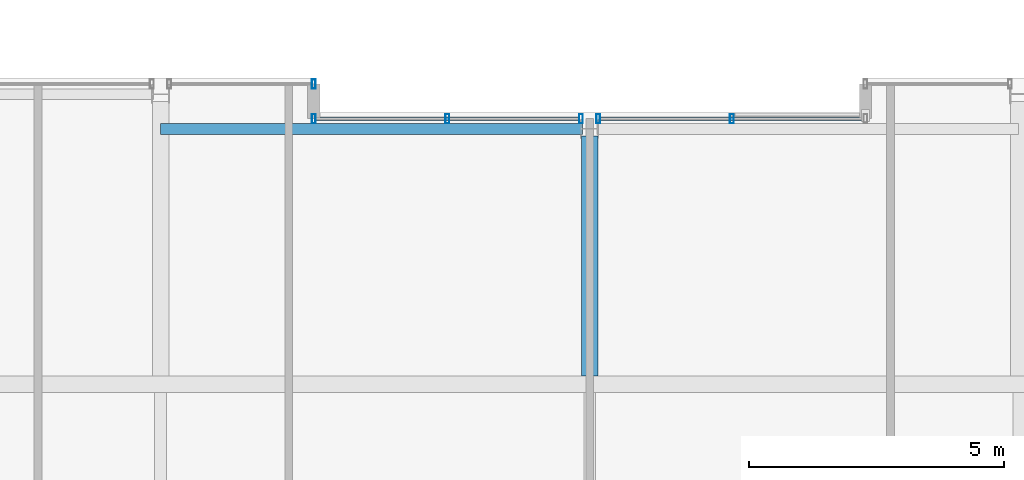
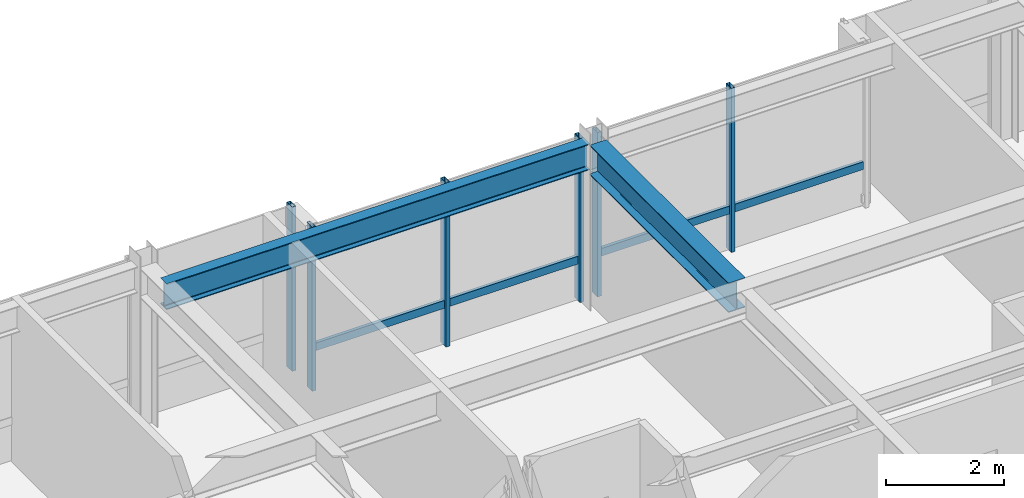
# One storey, part 24 of 34: 8 members, 2 beams, 3 elements without a shape of their own.
"""IFC4 building model written with IfcOpenShell, lengths in metres."""

from ifc_helpers import new_model, si_unit, direction, frame, origin, origin_2d, place, context, subcontext, project, spatial, hollow_rectangle, i_section, extrude, material, layer, layer_set, material_profile, profile_set, type_object, element, aggregate, save


model = new_model("IFC4")

# Units and contexts
model_context = context("Model", 3, precision=1e-05, world=origin(), true_north=direction((0.0, 1.0)))
body_context = subcontext(model_context, "Body", "Model", "MODEL_VIEW")
ifc_project = project(units=[si_unit("LENGTHUNIT", "METRE"), si_unit("AREAUNIT", "SQUARE_METRE"), si_unit("VOLUMEUNIT", "CUBIC_METRE"), si_unit("PLANEANGLEUNIT", "RADIAN"), si_unit("MASSUNIT", "GRAM", prefix="KILO")], contexts=[model_context])

# Site, building, storey
site_placement = place(None, origin())
site = spatial("IfcSite", under=ifc_project, at=site_placement, CompositionType="ELEMENT")
building_placement = place(site_placement, origin())
building = spatial("IfcBuilding", under=site, at=building_placement, Name="Drelvath Grand Hotel", CompositionType="ELEMENT")
storey_placement = place(building_placement, frame((0.0, 0.0, 272.300048828125)))
storey = spatial("IfcBuildingStorey", under=building, at=storey_placement, Name="L71", CompositionType="ELEMENT", Elevation=272.300048828125)

# Curtain wall, member
ifc_material_1 = material(Name="Platinum-Mist Anodised Aluminium Frame", Category="aluminium")
ifc_layer = layer(ifc_material_1, 0.199951171875)
ifc_layer_set = layer_set([ifc_layer], Name="Platinum-Mist Anodised Aluminium Frame")
curtain_wall_type = type_object("IfcCurtainWallType", Name="Stick Curtain Wall CW-05 Platinum Mist High-Rise", PredefinedType="NOTDEFINED", material=ifc_layer_set)
curtain_wall_1_placement = place(storey_placement, origin())
curtain_wall_1 = element("IfcCurtainWall", 1, at=curtain_wall_1_placement, inside=storey, type_object=curtain_wall_type, Name="L71 CW-05 Curtain Wall CW05-L71-NM1", PredefinedType="NOTDEFINED")
ifc_material_profile_1 = material_profile(ifc_material_1, hollow_rectangle(XDim=0.06494140625, YDim=0.159912109375, WallThickness=0.00390625, at=origin_2d()), Name="HSS160X65X4")
ifc_profile_set_1 = profile_set([ifc_material_profile_1], Name="Platinum-Mist Anodised Aluminium Frame")
member_type_1 = type_object("IfcMemberType", Name="Curtain Wall Horizontal Transom CW-05 HSS160X65X4", PredefinedType="USERDEFINED", material=ifc_profile_set_1)
member_1_placement = place(storey_placement, frame((-5.360107421875, 48.39990234375, 0.847412109375), z_axis=(1.0, 0.0, 0.0), x_axis=(0.0, 1.0, 0.0)))
member_1 = element("IfcMember", 2, at=member_1_placement, type_object=member_type_1, Name="CW05-L71-NM1 Sill Transom", ObjectType="TRANSOM", PredefinedType="USERDEFINED", context=body_context, shape_type="SweptSolid", body=[
    extrude(hollow_rectangle(XDim=0.06494140625, YDim=0.159912109375, WallThickness=0.00390625, at=origin_2d()), origin(), (0.0, 0.0, 1.0), 5.14990234375),
])

curtain_wall_2_placement = place(storey_placement, origin())
curtain_wall_2 = element("IfcCurtainWall", 3, at=curtain_wall_2_placement, inside=storey, type_object=curtain_wall_type, Name="L71 CW-05 Curtain Wall CW05-L71-NM2", PredefinedType="NOTDEFINED")
member_2_placement = place(storey_placement, frame((0.210205078125, 48.39990234375, 0.847412109375), z_axis=(1.0, 0.0, 0.0), x_axis=(0.0, 1.0, 0.0)))
member_2 = element("IfcMember", 4, at=member_2_placement, type_object=member_type_1, Name="CW05-L71-NM2 Sill Transom", ObjectType="TRANSOM", PredefinedType="USERDEFINED", context=body_context, shape_type="SweptSolid", body=[
    extrude(hollow_rectangle(XDim=0.06494140625, YDim=0.159912109375, WallThickness=0.00390625, at=origin_2d()), origin(), (0.0, 0.0, 1.0), 5.14990234375),
])

curtain_wall_3_placement = place(storey_placement, origin())
curtain_wall_3 = element("IfcCurtainWall", 5, at=curtain_wall_3_placement, inside=storey, type_object=curtain_wall_type, Name="L71 CW-05 Curtain Wall CW05-L71-NW2", PredefinedType="NOTDEFINED")
ifc_material_profile_2 = material_profile(ifc_material_1, hollow_rectangle(XDim=0.074951171875, YDim=0.179931640625, WallThickness=0.0048828125, at=origin_2d()), Name="HSS180X75X5")
ifc_profile_set_2 = profile_set([ifc_material_profile_2], Name="Platinum-Mist Anodised Aluminium Frame")
member_type_2 = type_object("IfcMemberType", Name="Curtain Wall Vertical Mullion CW-05 HSS180X75X5", PredefinedType="MULLION", material=ifc_profile_set_2)
member_3_placement = place(storey_placement, frame((-5.39990234375, 49.080078125, 0.0), z_axis=(0.0, 0.0, 1.0), x_axis=(1.0, 0.0, 0.0)))
member_3 = element("IfcMember", 6, at=member_3_placement, type_object=member_type_2, Name="CW05-L71-NW2 Mullion 2", PredefinedType="MULLION", context=body_context, shape_type="SweptSolid", body=[
    extrude(hollow_rectangle(XDim=0.074951171875, YDim=0.179931640625, WallThickness=0.0048828125, at=origin_2d()), origin(), (0.0, 0.0, 1.0), 3.389892578125),
])
aggregate(curtain_wall_3, [member_3])

# Member
member_4_placement = place(storey_placement, frame((-5.39990234375, 48.39990234375, 0.0), z_axis=(0.0, 0.0, 1.0), x_axis=(1.0, 0.0, 0.0)))
member_4 = element("IfcMember", 7, at=member_4_placement, type_object=member_type_2, Name="CW05-L71-NM1 Mullion 1", PredefinedType="MULLION", context=body_context, shape_type="SweptSolid", body=[
    extrude(hollow_rectangle(XDim=0.074951171875, YDim=0.179931640625, WallThickness=0.0048828125, at=origin_2d()), origin(), (0.0, 0.0, 1.0), 3.389892578125),
])

member_5_placement = place(storey_placement, frame((-2.78515625, 48.39990234375, 0.0), z_axis=(0.0, 0.0, 1.0), x_axis=(1.0, 0.0, 0.0)))
member_5 = element("IfcMember", 8, at=member_5_placement, type_object=member_type_2, Name="CW05-L71-NM1 Mullion 2", PredefinedType="MULLION", context=body_context, shape_type="SweptSolid", body=[
    extrude(hollow_rectangle(XDim=0.074951171875, YDim=0.179931640625, WallThickness=0.0048828125, at=origin_2d()), origin(), (0.0, 0.0, 1.0), 3.389892578125),
])

member_6_placement = place(storey_placement, frame((-0.170166015625, 48.39990234375, 0.0), z_axis=(0.0, 0.0, 1.0), x_axis=(1.0, 0.0, 0.0)))
member_6 = element("IfcMember", 9, at=member_6_placement, type_object=member_type_2, Name="CW05-L71-NM1 Mullion 3", PredefinedType="MULLION", context=body_context, shape_type="SweptSolid", body=[
    extrude(hollow_rectangle(XDim=0.074951171875, YDim=0.179931640625, WallThickness=0.0048828125, at=origin_2d()), origin(), (0.0, 0.0, 1.0), 3.389892578125),
])

aggregate(curtain_wall_1, [member_4, member_5, member_6, member_1])

member_7_placement = place(storey_placement, frame((0.170166015625, 48.39990234375, 0.0), z_axis=(0.0, 0.0, 1.0), x_axis=(1.0, 0.0, 0.0)))
member_7 = element("IfcMember", 10, at=member_7_placement, type_object=member_type_2, Name="CW05-L71-NM2 Mullion 1", PredefinedType="MULLION", context=body_context, shape_type="SweptSolid", body=[
    extrude(hollow_rectangle(XDim=0.074951171875, YDim=0.179931640625, WallThickness=0.0048828125, at=origin_2d()), origin(), (0.0, 0.0, 1.0), 3.389892578125),
])

member_8_placement = place(storey_placement, frame((2.78515625, 48.39990234375, 0.0), z_axis=(0.0, 0.0, 1.0), x_axis=(1.0, 0.0, 0.0)))
member_8 = element("IfcMember", 11, at=member_8_placement, type_object=member_type_2, Name="CW05-L71-NM2 Mullion 2", PredefinedType="MULLION", context=body_context, shape_type="SweptSolid", body=[
    extrude(hollow_rectangle(XDim=0.074951171875, YDim=0.179931640625, WallThickness=0.0048828125, at=origin_2d()), origin(), (0.0, 0.0, 1.0), 3.389892578125),
])

aggregate(curtain_wall_2, [member_7, member_8, member_2])

# Beams
ifc_material_2 = material(Name="Steel ASTM A992 Gr 50", Category="steel")
ifc_material_profile_3 = material_profile(ifc_material_2, i_section(OverallWidth=0.210205078125, OverallDepth=0.53662109375, WebThickness=0.010986328125, FlangeThickness=0.017333984375, FilletRadius=0.01806640625, at=origin_2d()), Name="W21X68")
ifc_profile_set_3 = profile_set([ifc_material_profile_3], Name="Steel ASTM A992 Gr 50")
beam_type_1 = type_object("IfcBeamType", Name="Perimeter Spandrel Beam W21X68", PredefinedType="SPANDREL", material=ifc_profile_set_3)
beam_1_placement = place(storey_placement, frame((-8.39990234375, 48.199951171875, 3.12158203125), z_axis=(1.0, 0.0, 0.0), x_axis=(0.0, 1.0, 0.0)))
element("IfcBeam", 12, at=beam_1_placement, inside=storey, type_object=beam_type_1, Name="L71 Spandrel North Mid W", PredefinedType="SPANDREL", context=body_context, shape_type="SweptSolid", body=[
    extrude(i_section(OverallWidth=0.210205078125, OverallDepth=0.53662109375, WebThickness=0.010986328125, FlangeThickness=0.017333984375, FilletRadius=0.01806640625, at=origin_2d()), origin(), (0.0, 0.0, 1.0), 8.260009765625),
])
ifc_material_profile_4 = material_profile(ifc_material_2, i_section(OverallWidth=0.323974609375, OverallDepth=0.611083984375, WebThickness=0.0126953125, FlangeThickness=0.01904296875, FilletRadius=0.02197265625, at=origin_2d()), Name="W24X104")
ifc_profile_set_4 = profile_set([ifc_material_profile_4], Name="Steel ASTM A992 Gr 50")
beam_type_2 = type_object("IfcBeamType", Name="Primary Floor Girder W24X104", PredefinedType="BEAM", material=ifc_profile_set_4)
beam_2_placement = place(storey_placement, frame((0.0, 43.362060546875, 3.08447265625), z_axis=(0.0, 1.0, 0.0), x_axis=(-1.0, 0.0, 0.0)))
element("IfcBeam", 13, at=beam_2_placement, inside=storey, type_object=beam_type_2, Name="L71 North Wing Girder 5", PredefinedType="BEAM", context=body_context, shape_type="SweptSolid", body=[
    extrude(i_section(OverallWidth=0.323974609375, OverallDepth=0.611083984375, WebThickness=0.0126953125, FlangeThickness=0.01904296875, FilletRadius=0.02197265625, at=origin_2d()), origin(), (0.0, 0.0, 1.0), 4.697998046875),
])

save(model, "model.ifc")
